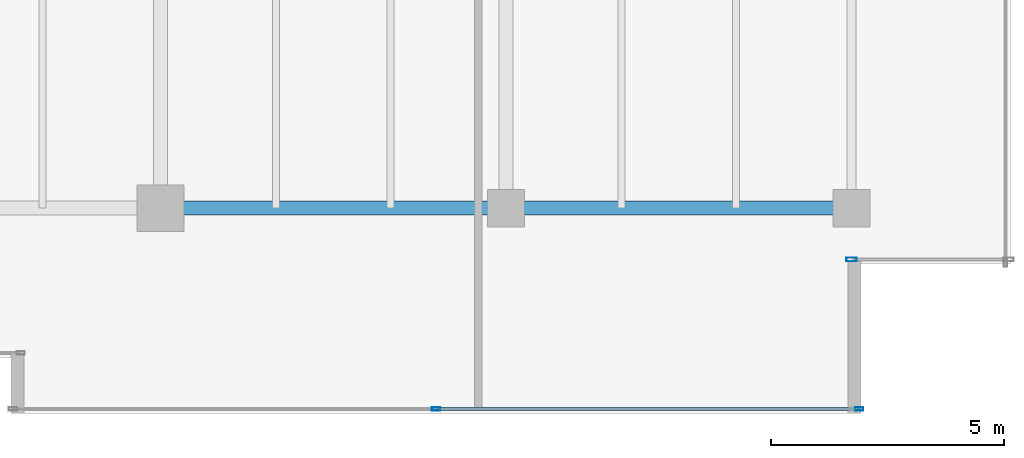
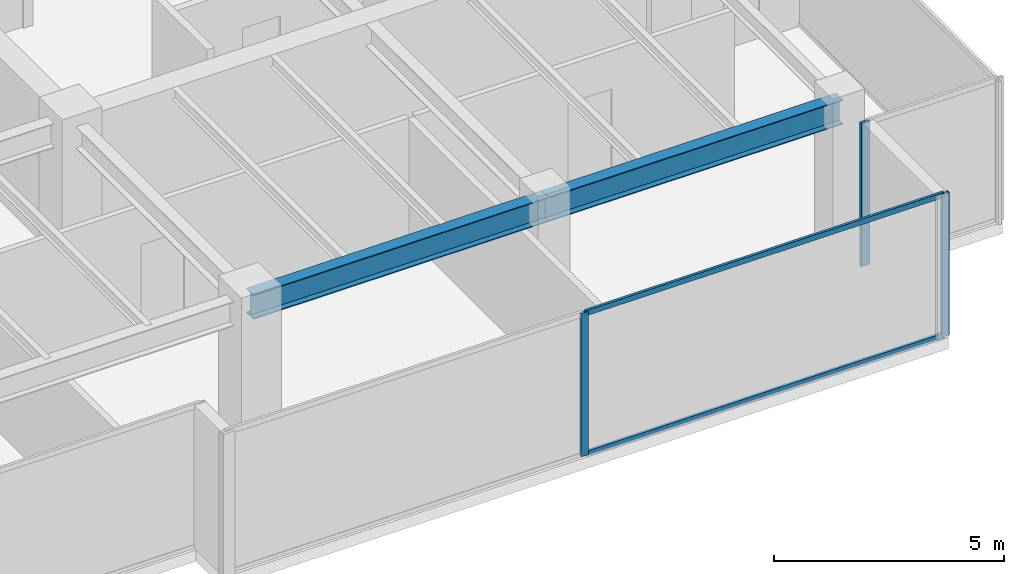
# One storey, part 13 of 33: 5 members, 2 beams, 2 elements without a shape of their own.
"""IFC4 building model written with IfcOpenShell, lengths in metres."""

from ifc_helpers import new_model, si_unit, direction, frame, origin, origin_2d, place, context, subcontext, project, spatial, hollow_rectangle, i_section, extrude, source, transform, mapped, material, layer, layer_set, material_profile, profile_set, type_object, type_shapes, element, aggregate, save


model = new_model("IFC4")

# Units and contexts
model_context = context("Model", 3, precision=1e-05, world=origin(), true_north=direction((0.0, 1.0)))
body_context = subcontext(model_context, "Body", "Model", "MODEL_VIEW")
ifc_project = project(units=[si_unit("LENGTHUNIT", "METRE"), si_unit("AREAUNIT", "SQUARE_METRE"), si_unit("VOLUMEUNIT", "CUBIC_METRE"), si_unit("PLANEANGLEUNIT", "RADIAN"), si_unit("MASSUNIT", "GRAM", prefix="KILO")], contexts=[model_context])

# Site, building, storey
site_placement = place(None, origin())
site = spatial("IfcSite", under=ifc_project, at=site_placement, CompositionType="ELEMENT")
building_placement = place(site_placement, origin())
building = spatial("IfcBuilding", under=site, at=building_placement, Name="Haelvirn Gate Laboratories", CompositionType="ELEMENT")
storey_placement = place(building_placement, frame((0.0, 0.0, 238.300048828125)))
storey = spatial("IfcBuildingStorey", under=building, at=storey_placement, Name="L57", CompositionType="ELEMENT", Elevation=238.300048828125)

# Beams
ifc_material_1 = material(Name="Steel SM355", Category="steel")
ifc_material_profile_1 = material_profile(ifc_material_1, i_section(OverallWidth=0.300048828125, OverallDepth=0.64990234375, WebThickness=0.012939453125, FlangeThickness=0.02197265625, at=origin_2d()), Name="H-650x300x13x22")
ifc_profile_set_1 = profile_set([ifc_material_profile_1], Name="Steel SM355")
beam_type = type_object("IfcBeamType", Name="BM-G-650", PredefinedType="BEAM", material=ifc_profile_set_1)
shared_shape_1 = source(origin(), body_context, "Body", "SweptSolid", [
    extrude(i_section(OverallWidth=0.300048828125, OverallDepth=0.64990234375, WebThickness=0.012939453125, FlangeThickness=0.02197265625, at=origin_2d()), origin(), (0.0, 0.0, 1.0), 7.39990234375),
])
type_shapes(beam_type, [shared_shape_1])
for number, where, z_axis, x_axis, name in (
    (1, (52.60009765625, 7.0, 3.474853515625), (1.0, 0.0, 0.0), (0.0, 1.0, 0.0), "L57 Primary Girder Y7.0 (52.6-60.0)"),
    (2, (60.0, 7.0, 3.474853515625), (1.0, 0.0, 0.0), (0.0, 1.0, 0.0), "L57 Primary Girder Y7.0 (60.0-67.4)"),
):
    element("IfcBeam", number, at=place(storey_placement, frame(where, z_axis=z_axis, x_axis=x_axis)), inside=storey, type_object=beam_type, Name=name, PredefinedType="BEAM", context=body_context, shape_type="MappedRepresentation", body=[
        mapped(shared_shape_1, transform((0.0, 0.0, 0.0), scale=1.0)),
    ])

# Curtain wall, members
ifc_material_2 = material(Name="Anodised bronze unitised aluminium & triple low-E glass", Category="aluminium")
ifc_layer_1 = layer(ifc_material_2, 0.176025390625, Name="CW-SYS-4")
ifc_layer_set_1 = layer_set([ifc_layer_1], Name="Anodised bronze unitised aluminium & triple low-E glass")
curtain_wall_type_1 = type_object("IfcCurtainWallType", Name="CW-SYS-4", PredefinedType="NOTDEFINED", material=ifc_layer_set_1)
curtain_wall_1_placement = place(storey_placement, origin())
curtain_wall_1 = element("IfcCurtainWall", 3, at=curtain_wall_1_placement, inside=storey, type_object=curtain_wall_type_1, Name="L57 Unitised Curtain Wall CW-L57-P0-E04-1", PredefinedType="NOTDEFINED")
ifc_material_3 = material(Name="Extruded aluminium 6063-T6 (anodised bronze)", Category="aluminium")
ifc_material_profile_2 = material_profile(ifc_material_3, hollow_rectangle(XDim=0.06494140625, YDim=0.139892578125, WallThickness=0.00390625, at=origin_2d()), Name="CWT-140x65x4")
ifc_profile_set_2 = profile_set([ifc_material_profile_2], Name="Extruded aluminium 6063-T6 (anodised bronze)")
member_type_1 = type_object("IfcMemberType", Name="CWT-T140", PredefinedType="USERDEFINED", material=ifc_profile_set_2)
shared_shape_2 = source(origin(), body_context, "Body", "SweptSolid", [
    extrude(hollow_rectangle(XDim=0.06494140625, YDim=0.139892578125, WallThickness=0.00390625, at=origin_2d()), origin(), (0.0, 0.0, 1.0), 8.9951171875),
])
type_shapes(member_type_1, [shared_shape_2])
member_1_placement = place(storey_placement, frame((58.534912109375, 2.699951171875, 0.032470703125), z_axis=(1.0, 0.0, 0.0), x_axis=(0.0, 1.0, 0.0)))
member_1 = element("IfcMember", 4, at=member_1_placement, type_object=member_type_1, Name="CW4 transom 2.1", ObjectType="TRANSOM", PredefinedType="USERDEFINED", context=body_context, shape_type="MappedRepresentation", body=[
    mapped(shared_shape_2, transform((0.0, 0.0, 0.0), scale=1.0)),
])
member_2_placement = place(storey_placement, frame((58.534912109375, 2.699951171875, 3.767333984375), z_axis=(1.0, 0.0, 0.0), x_axis=(0.0, 1.0, 0.0)))
member_2 = element("IfcMember", 5, at=member_2_placement, type_object=member_type_1, Name="CW4 transom 2.2", ObjectType="TRANSOM", PredefinedType="USERDEFINED", context=body_context, shape_type="MappedRepresentation", body=[
    mapped(shared_shape_2, transform((0.0, 0.0, 0.0), scale=1.0)),
])
ifc_material_profile_3 = material_profile(ifc_material_3, hollow_rectangle(XDim=0.070068359375, YDim=0.179931640625, WallThickness=0.0048828125, at=origin_2d()), Name="CWM-180x70x5")
ifc_profile_set_3 = profile_set([ifc_material_profile_3], Name="Extruded aluminium 6063-T6 (anodised bronze)")
member_type_2 = type_object("IfcMemberType", Name="CWM-T180", PredefinedType="MULLION", material=ifc_profile_set_3)
shared_shape_3 = source(origin(), body_context, "Body", "SweptSolid", [
    extrude(hollow_rectangle(XDim=0.070068359375, YDim=0.179931640625, WallThickness=0.0048828125, at=origin_2d()), origin(), (0.0, 0.0, 1.0), 3.800048828125),
])
type_shapes(member_type_2, [shared_shape_3])
member_3_placement = place(storey_placement, frame((58.5, 2.699951171875, 0.0), z_axis=(0.0, 0.0, 1.0), x_axis=(0.0, 1.0, 0.0)))
member_3 = element("IfcMember", 6, at=member_3_placement, type_object=member_type_2, Name="CW4 mullion 2", PredefinedType="MULLION", context=body_context, shape_type="MappedRepresentation", body=[
    mapped(shared_shape_3, transform((0.0, 0.0, 0.0), scale=1.0)),
])
member_4_placement = place(storey_placement, frame((67.56494140625, 2.699951171875, 0.0), z_axis=(0.0, 0.0, 1.0), x_axis=(0.0, 1.0, 0.0)))
member_4 = element("IfcMember", 7, at=member_4_placement, type_object=member_type_2, Name="CW4 mullion 3", PredefinedType="MULLION", context=body_context, shape_type="MappedRepresentation", body=[
    mapped(shared_shape_3, transform((0.0, 0.0, 0.0), scale=1.0)),
])
aggregate(curtain_wall_1, [member_3, member_4, member_1, member_2])

# Curtain wall, member
ifc_layer_2 = layer(ifc_material_2, 0.181884765625, Name="CW-SYS-5")
ifc_layer_set_2 = layer_set([ifc_layer_2], Name="Anodised bronze unitised aluminium & triple low-E glass")
curtain_wall_type_2 = type_object("IfcCurtainWallType", Name="CW-SYS-5", PredefinedType="NOTDEFINED", material=ifc_layer_set_2)
curtain_wall_2_placement = place(storey_placement, origin())
curtain_wall_2 = element("IfcCurtainWall", 8, at=curtain_wall_2_placement, inside=storey, type_object=curtain_wall_type_2, Name="L57 Unitised Curtain Wall CW-L57-P0-E06-1", PredefinedType="NOTDEFINED")
ifc_material_profile_4 = material_profile(ifc_material_3, hollow_rectangle(XDim=0.080078125, YDim=0.219970703125, WallThickness=0.006103515625, at=origin_2d()), Name="CWM-220x80x6")
ifc_profile_set_4 = profile_set([ifc_material_profile_4], Name="Extruded aluminium 6063-T6 (anodised bronze)")
member_type_3 = type_object("IfcMemberType", Name="CWM-T220", PredefinedType="MULLION", material=ifc_profile_set_4)
shared_shape_4 = source(origin(), body_context, "Body", "SweptSolid", [
    extrude(hollow_rectangle(XDim=0.080078125, YDim=0.219970703125, WallThickness=0.006103515625, at=origin_2d()), origin(), (0.0, 0.0, 1.0), 3.800048828125),
])
type_shapes(member_type_3, [shared_shape_4])
member_5_placement = place(storey_placement, frame((67.39990234375, 5.89990234375, 0.0), z_axis=(0.0, 0.0, 1.0), x_axis=(0.0, 1.0, 0.0)))
member_5 = element("IfcMember", 9, at=member_5_placement, type_object=member_type_3, Name="CW5 mullion 1", PredefinedType="MULLION", context=body_context, shape_type="MappedRepresentation", body=[
    mapped(shared_shape_4, transform((0.0, 0.0, 0.0), scale=1.0)),
])
aggregate(curtain_wall_2, [member_5])

save(model, "model.ifc")
